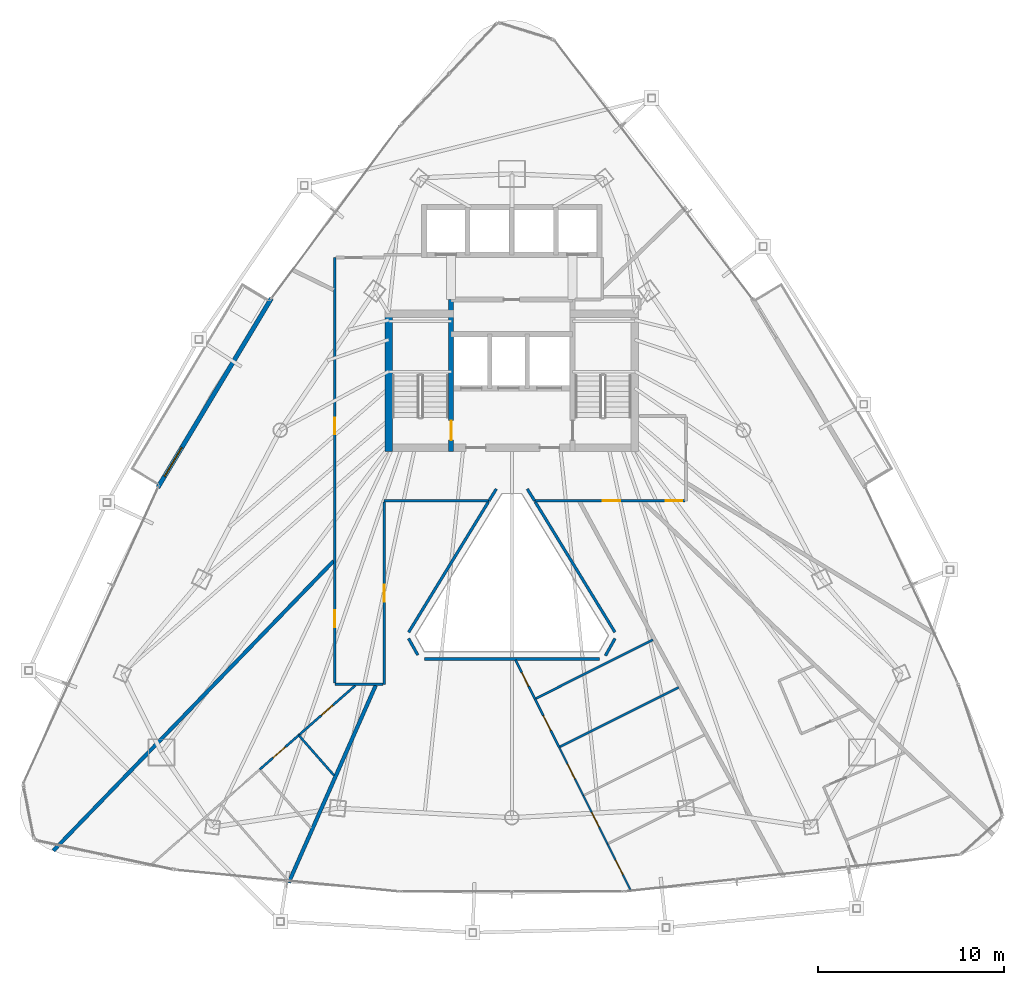
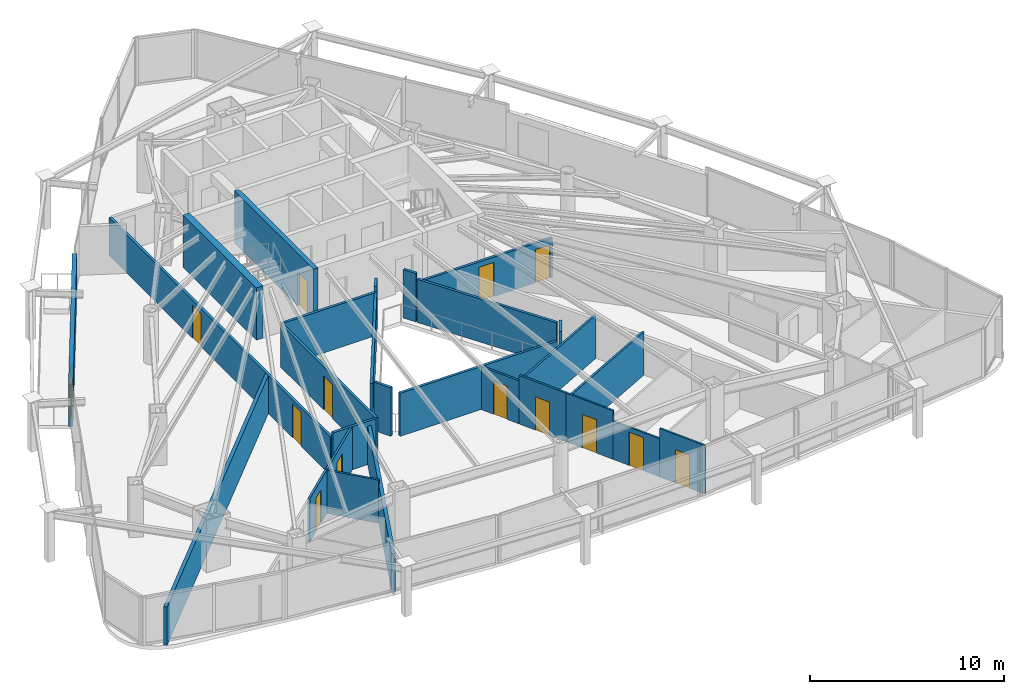
# One storey, part 26 of 31: 27 walls, 14 doors, 14 openings.
"""IFC4 building model written with IfcOpenShell, lengths in metres."""

from ifc_helpers import new_model, si_unit, direction, frame, frame_2d, origin, place, context, subcontext, project, spatial, rectangle, extrude, material, layer, layer_set, type_object, element, fill, save


model = new_model("IFC4")

# Units and contexts
model_context = context("Model", 3, precision=1e-05, world=origin(), true_north=direction((0.0, 1.0)))
body_context = subcontext(model_context, "Body", "Model", "MODEL_VIEW")
ifc_project = project(units=[si_unit("LENGTHUNIT", "METRE"), si_unit("AREAUNIT", "SQUARE_METRE"), si_unit("VOLUMEUNIT", "CUBIC_METRE"), si_unit("PLANEANGLEUNIT", "RADIAN"), si_unit("MASSUNIT", "GRAM", prefix="KILO")], contexts=[model_context])

# Site, building, storey
site_placement = place(None, origin())
site = spatial("IfcSite", under=ifc_project, at=site_placement, CompositionType="ELEMENT")
building_placement = place(site_placement, origin())
building = spatial("IfcBuilding", under=site, at=building_placement, Name="Orvanel Arch Residences", CompositionType="ELEMENT")
storey_placement = place(building_placement, frame((0.0, 0.0, 113.300048828125)))
storey = spatial("IfcBuildingStorey", under=building, at=storey_placement, Name="L31", CompositionType="ELEMENT", Elevation=113.300048828125)

# Wall, opening, door
ifc_material_1 = material(Name="Precast concrete N50 (50 MPa)", Category="concrete")
ifc_layer_1 = layer(ifc_material_1, 0.239990234375)
ifc_layer_set_1 = layer_set([ifc_layer_1], Name="Precast concrete N50 (50 MPa)")
wall_type_1 = type_object("IfcWallType", Name="EW-BAL-240", PredefinedType="SOLIDWALL", material=ifc_layer_set_1)
wall_1_placement = place(storey_placement, frame((20.094970703125, 34.718017578125, 0.0), z_axis=(0.0, 0.0, 1.0), x_axis=(-0.514362369366, -0.857572943242, 0.0)))
wall_1 = element("IfcWall", 1, at=wall_1_placement, inside=storey, type_object=wall_type_1, Name="L31 Balcony Threshold Wall Face 1", PredefinedType="SOLIDWALL", context=body_context, shape_type="SweptSolid", body=[
    extrude(rectangle(XDim=11.84375, YDim=0.239990234375, at=frame_2d((5.921875, 0.0))), origin(), (0.0, 0.0, 1.0), 2.6240234375),
])
opening_1_placement = place(wall_1_placement, frame((9.345947265625, 0.0, 0.0)))
opening_1 = element("IfcOpeningElement", 2, at=opening_1_placement, cuts=wall_1, Name="Opening DB-180", PredefinedType="OPENING", context=body_context, shape_type="SweptSolid", body=[
    extrude(rectangle(XDim=1.800048828125, YDim=2.199951171875, at=frame_2d((0.89990234375, 1.10009765625))), frame((0.0, 0.1298828125, 0.0), z_axis=(0.0, -1.0, 0.0), x_axis=(1.0, 0.0, 0.0)), (0.0, 0.0, 1.0), 0.260009765625),
])
ifc_material_2 = material(Name="Bronze-anodised aluminium AA6063-T6", Category="aluminium")
door_type_1 = type_object("IfcDoorType", Name="DR-BAL-1800", OperationType="NOTDEFINED", PredefinedType="DOOR", material=ifc_material_2)
door_1_placement = place(opening_1_placement, origin())
door_1 = element("IfcDoor", 3, at=door_1_placement, inside=storey, type_object=door_type_1, Name="DR-L31-BAL-F1 L31 Planted Balcony Access Door Face 1", OperationType="SINGLE_SWING_RIGHT", OverallHeight=2.199951171875, OverallWidth=1.800048828125, PredefinedType="DOOR", context=body_context, shape_type="SweptSolid", body=[
    extrude(rectangle(XDim=1.800048828125, YDim=2.199951171875, at=frame_2d((0.89990234375, 1.10009765625))), frame((0.0, 0.02490234375, 0.0), z_axis=(0.0, -1.0, 0.0), x_axis=(1.0, 0.0, 0.0)), (0.0, 0.0, 1.0), 0.050048828125),
])
fill(opening_1, door_1)

ifc_material_3 = material(Name="Concrete S65 (65 MPa)", Category="concrete")
ifc_layer_2 = layer(ifc_material_3, 0.280029296875)
ifc_layer_set_2 = layer_set([ifc_layer_2], Name="Concrete S65 (65 MPa)")
wall_type_2 = type_object("IfcWallType", Name="SW-CORE-280", PredefinedType="SHEAR", material=ifc_layer_set_2)
wall_2_placement = place(storey_placement, frame((29.739990234375, 26.5, 0.0), z_axis=(0.0, 0.0, 1.0), x_axis=(0.0, 1.0, 0.0)))
wall_2 = element("IfcWall", 4, at=wall_2_placement, inside=storey, type_object=wall_type_2, Name="L31 West Inner Core Spine Shear Wall", PredefinedType="SHEAR", context=body_context, shape_type="SweptSolid", body=[
    extrude(rectangle(XDim=8.14990234375, YDim=0.280029296875, at=frame_2d((4.074951171875, 0.0))), origin(), (0.0, 0.0, 1.0), 3.300048828125),
])
opening_2_placement = place(wall_2_placement, frame((0.60009765625, 0.0, 0.0)))
opening_2 = element("IfcOpeningElement", 5, at=opening_2_placement, cuts=wall_2, Name="Opening DF-120", PredefinedType="OPENING", context=body_context, shape_type="SweptSolid", body=[
    extrude(rectangle(XDim=1.050048828125, YDim=2.14990234375, at=frame_2d((0.52490234375, 1.074951171875))), frame((0.0, 0.14990234375, 0.0), z_axis=(0.0, -1.0, 0.0), x_axis=(1.0, 0.0, 0.0)), (0.0, 0.0, 1.0), 0.300048828125),
])
ifc_material_4 = material(Name="Galvanised steel fire-resisting door assembly", Category="steel")
door_type_2 = type_object("IfcDoorType", Name="DR-FD120-1050", OperationType="NOTDEFINED", PredefinedType="DOOR", material=ifc_material_4)
door_2_placement = place(opening_2_placement, origin())
door_2 = element("IfcDoor", 6, at=door_2_placement, inside=storey, type_object=door_type_2, Name="DR-L31-ST1 L31 Stair 1 Fire Door", OperationType="SINGLE_SWING_LEFT", OverallHeight=2.14990234375, OverallWidth=1.050048828125, PredefinedType="DOOR", context=body_context, shape_type="SweptSolid", body=[
    extrude(rectangle(XDim=1.050048828125, YDim=2.14990234375, at=frame_2d((0.52490234375, 1.074951171875))), frame((0.0, 0.02490234375, 0.0), z_axis=(0.0, -1.0, 0.0), x_axis=(1.0, 0.0, 0.0)), (0.0, 0.0, 1.0), 0.050048828125),
])
fill(opening_2, door_2)

# Walls
ifc_layer_3 = layer(ifc_material_3, 0.39990234375)
ifc_layer_set_3 = layer_set([ifc_layer_3], Name="Concrete S65 (65 MPa)")
wall_type_3 = type_object("IfcWallType", Name="SW-CORE-400", PredefinedType="SHEAR", material=ifc_layer_set_3)
wall_3_placement = place(storey_placement, frame((26.39990234375, 26.5, 0.0), z_axis=(0.0, 0.0, 1.0), x_axis=(0.0, 1.0, 0.0)))
element("IfcWall", 7, at=wall_3_placement, inside=storey, type_object=wall_type_3, Name="L31 West Stair Shear Wall", PredefinedType="SHEAR", context=body_context, shape_type="SweptSolid", body=[
    extrude(rectangle(XDim=7.60009765625, YDim=0.39990234375, at=frame_2d((3.800048828125, 0.0))), origin(), (0.0, 0.0, 1.0), 3.300048828125),
])
ifc_material_5 = material(Name="Fire-rated plasterboard lined steel stud partition", Category="steel")
ifc_layer_4 = layer(ifc_material_5, 0.14990234375)
ifc_layer_set_4 = layer_set([ifc_layer_4], Name="Fire-rated plasterboard lined steel stud partition")
wall_type_4 = type_object("IfcWallType", Name="W-COR-150", PredefinedType="PARTITIONING", material=ifc_layer_set_4)
wall_4_placement = place(storey_placement, frame((32.169921875, 24.487060546875, 0.0), z_axis=(0.0, 0.0, 1.0), x_axis=(-0.527038486816, -0.849841416627, 0.0)))
element("IfcWall", 8, at=wall_4_placement, inside=storey, type_object=wall_type_4, Name="L31 Corridor Fire-Rated Partition", PredefinedType="PARTITIONING", context=body_context, shape_type="SweptSolid", body=[
    extrude(rectangle(XDim=0.74951171875, YDim=0.14990234375, at=frame_2d((0.374755859375, 0.0))), origin(), (0.0, 0.0, 1.0), 3.06005859375),
])
wall_5_placement = place(storey_placement, frame((31.77490234375, 23.85009765625, 0.0), z_axis=(0.0, 0.0, 1.0), x_axis=(-1.0, 0.0, 0.0)))
element("IfcWall", 9, at=wall_5_placement, inside=storey, type_object=wall_type_4, Name="L31 Corridor Fire-Rated Partition", PredefinedType="PARTITIONING", context=body_context, shape_type="SweptSolid", body=[
    extrude(rectangle(XDim=5.625, YDim=0.14990234375, at=frame_2d((2.8125, 0.0))), origin(), (0.0, 0.0, 1.0), 2.720947265625),
])

# Wall, opening, door
wall_6_placement = place(storey_placement, frame((26.14990234375, 23.7900390625, 0.0), z_axis=(0.0, 0.0, 1.0), x_axis=(0.0, -1.0, 0.0)))
wall_6 = element("IfcWall", 10, at=wall_6_placement, inside=storey, type_object=wall_type_4, Name="L31 Corridor Fire-Rated Partition", PredefinedType="PARTITIONING", context=body_context, shape_type="SweptSolid", body=[
    extrude(rectangle(XDim=9.7900390625, YDim=0.14990234375, at=frame_2d((4.89501953125, 0.0))), origin(), (0.0, 0.0, 1.0), 2.720947265625),
])
opening_3_placement = place(wall_6_placement, frame((4.43505859375, 0.0, 0.0)))
opening_3 = element("IfcOpeningElement", 11, at=opening_3_placement, cuts=wall_6, Name="Opening DA-092", PredefinedType="OPENING", context=body_context, shape_type="SweptSolid", body=[
    extrude(rectangle(XDim=0.919921875, YDim=2.14990234375, at=frame_2d((0.4599609375, 1.074951171875))), frame((0.0, 0.0849609375, 0.0), z_axis=(0.0, -1.0, 0.0), x_axis=(1.0, 0.0, 0.0)), (0.0, 0.0, 1.0), 0.169921875),
])
ifc_material_6 = material(Name="Solid-core European oak veneer fire door leaf", Category="wood")
door_type_3 = type_object("IfcDoorType", Name="DR-APT-920", OperationType="NOTDEFINED", PredefinedType="DOOR", material=ifc_material_6)
door_3_placement = place(opening_3_placement, origin())
door_3 = element("IfcDoor", 12, at=door_3_placement, inside=storey, type_object=door_type_3, Name="DR-L31-A-ENT L31 Studio A Entrance Door", OperationType="SINGLE_SWING_RIGHT", OverallHeight=2.14990234375, OverallWidth=0.919921875, PredefinedType="DOOR", context=body_context, shape_type="SweptSolid", body=[
    extrude(rectangle(XDim=0.919921875, YDim=2.14990234375, at=frame_2d((0.4599609375, 1.074951171875))), frame((0.0, 0.02490234375, 0.0), z_axis=(0.0, -1.0, 0.0), x_axis=(1.0, 0.0, 0.0)), (0.0, 0.0, 1.0), 0.050048828125),
])
fill(opening_3, door_3)

# Wall
wall_7_placement = place(storey_placement, frame((26.090087890625, 14.0, 0.0), z_axis=(0.0, 0.0, 1.0), x_axis=(-1.0, 0.0, 0.0)))
element("IfcWall", 13, at=wall_7_placement, inside=storey, type_object=wall_type_4, Name="L31 Corridor Fire-Rated Partition", PredefinedType="PARTITIONING", context=body_context, shape_type="SweptSolid", body=[
    extrude(rectangle(XDim=2.590087890625, YDim=0.14990234375, at=frame_2d((1.294921875, 0.0))), origin(), (0.0, 0.0, 1.0), 2.720947265625),
])

# Wall, openings, doors
wall_8_placement = place(storey_placement, frame((23.5, 14.06005859375, 0.0), z_axis=(0.0, 0.0, 1.0), x_axis=(0.0, 1.0, 0.0)))
wall_8 = element("IfcWall", 14, at=wall_8_placement, inside=storey, type_object=wall_type_4, Name="L31 Corridor Fire-Rated Partition", PredefinedType="PARTITIONING", context=body_context, shape_type="SweptSolid", body=[
    extrude(rectangle(XDim=22.83984375, YDim=0.14990234375, at=frame_2d((11.419921875, 0.0))), origin(), (0.0, 0.0, 1.0), 2.412841796875),
])
opening_4_placement = place(wall_8_placement, frame((13.373046875, 0.0, 0.0)))
opening_4 = element("IfcOpeningElement", 15, at=opening_4_placement, cuts=wall_8, Name="Opening DI-088", PredefinedType="OPENING", context=body_context, shape_type="SweptSolid", body=[
    extrude(rectangle(XDim=0.8798828125, YDim=2.10009765625, at=frame_2d((0.43994140625, 1.050048828125))), frame((0.0, 0.0849609375, 0.0), z_axis=(0.0, -1.0, 0.0), x_axis=(1.0, 0.0, 0.0)), (0.0, 0.0, 1.0), 0.169921875),
])
opening_5_placement = place(wall_8_placement, frame((3.001953125, 0.0, 0.0)))
opening_5 = element("IfcOpeningElement", 16, at=opening_5_placement, cuts=wall_8, Name="Opening DA-092", PredefinedType="OPENING", context=body_context, shape_type="SweptSolid", body=[
    extrude(rectangle(XDim=0.919921875, YDim=2.14990234375, at=frame_2d((0.4599609375, 1.074951171875))), frame((0.0, 0.0849609375, 0.0), z_axis=(0.0, -1.0, 0.0), x_axis=(1.0, 0.0, 0.0)), (0.0, 0.0, 1.0), 0.169921875),
])
door_4_placement = place(opening_5_placement, origin())
door_4 = element("IfcDoor", 17, at=door_4_placement, inside=storey, type_object=door_type_3, Name="DR-L31-E-ENT L31 Flat E Entrance Door", OperationType="SINGLE_SWING_RIGHT", OverallHeight=2.14990234375, OverallWidth=0.919921875, PredefinedType="DOOR", context=body_context, shape_type="SweptSolid", body=[
    extrude(rectangle(XDim=0.919921875, YDim=2.14990234375, at=frame_2d((0.4599609375, 1.074951171875))), frame((0.0, 0.02490234375, 0.0), z_axis=(0.0, -1.0, 0.0), x_axis=(1.0, 0.0, 0.0)), (0.0, 0.0, 1.0), 0.050048828125),
])
fill(opening_5, door_4)
door_type_4 = type_object("IfcDoorType", Name="DR-INT-880", OperationType="NOTDEFINED", PredefinedType="DOOR", material=ifc_material_6)
door_5_placement = place(opening_4_placement, origin())
door_5 = element("IfcDoor", 18, at=door_5_placement, inside=storey, type_object=door_type_4, Name="DR-L31-SHRD-FB2 L31 Co-Working Study Office B Door", OperationType="SINGLE_SWING_LEFT", OverallHeight=2.10009765625, OverallWidth=0.8798828125, PredefinedType="DOOR", context=body_context, shape_type="SweptSolid", body=[
    extrude(rectangle(XDim=0.8798828125, YDim=2.10009765625, at=frame_2d((0.43994140625, 1.050048828125))), frame((0.0, 0.02490234375, 0.0), z_axis=(0.0, -1.0, 0.0), x_axis=(1.0, 0.0, 0.0)), (0.0, 0.0, 1.0), 0.050048828125),
])
fill(opening_4, door_5)

wall_9_placement = place(storey_placement, frame((42.2900390625, 23.85009765625, 0.0), z_axis=(0.0, 0.0, 1.0), x_axis=(-1.0, 0.0, 0.0)))
wall_9 = element("IfcWall", 19, at=wall_9_placement, inside=storey, type_object=wall_type_4, Name="L31 Corridor Fire-Rated Partition", PredefinedType="PARTITIONING", context=body_context, shape_type="SweptSolid", body=[
    extrude(rectangle(XDim=8.06494140625, YDim=0.14990234375, at=frame_2d((4.032470703125, 0.0))), origin(), (0.0, 0.0, 1.0), 2.491943359375),
])
opening_6_placement = place(wall_9_placement, frame((3.47705078125, 0.0, 0.0)))
opening_6 = element("IfcOpeningElement", 20, at=opening_6_placement, cuts=wall_9, Name="Opening DA-092", PredefinedType="OPENING", context=body_context, shape_type="SweptSolid", body=[
    extrude(rectangle(XDim=0.919921875, YDim=2.14990234375, at=frame_2d((0.4599609375, 1.074951171875))), frame((0.0, 0.0849609375, 0.0), z_axis=(0.0, -1.0, 0.0), x_axis=(1.0, 0.0, 0.0)), (0.0, 0.0, 1.0), 0.169921875),
])
opening_7_placement = place(wall_9_placement, frame((0.139892578125, 0.0, 0.0)))
opening_7 = element("IfcOpeningElement", 21, at=opening_7_placement, cuts=wall_9, Name="Opening DI-088", PredefinedType="OPENING", context=body_context, shape_type="SweptSolid", body=[
    extrude(rectangle(XDim=0.8798828125, YDim=2.10009765625, at=frame_2d((0.43994140625, 1.050048828125))), frame((0.0, 0.0849609375, 0.0), z_axis=(0.0, -1.0, 0.0), x_axis=(1.0, 0.0, 0.0)), (0.0, 0.0, 1.0), 0.169921875),
])
door_6_placement = place(opening_6_placement, origin())
door_6 = element("IfcDoor", 22, at=door_6_placement, inside=storey, type_object=door_type_3, Name="DR-L31-C-ENT L31 Studio C Entrance Door", OperationType="SINGLE_SWING_RIGHT", OverallHeight=2.14990234375, OverallWidth=0.919921875, PredefinedType="DOOR", context=body_context, shape_type="SweptSolid", body=[
    extrude(rectangle(XDim=0.919921875, YDim=2.14990234375, at=frame_2d((0.4599609375, 1.074951171875))), frame((0.0, 0.02490234375, 0.0), z_axis=(0.0, -1.0, 0.0), x_axis=(1.0, 0.0, 0.0)), (0.0, 0.0, 1.0), 0.050048828125),
])
fill(opening_6, door_6)
door_7_placement = place(opening_7_placement, origin())
door_7 = element("IfcDoor", 23, at=door_7_placement, inside=storey, type_object=door_type_4, Name="DR-L31-SHRD-FB7 L31 Co-Working Study Office G Door", OperationType="SINGLE_SWING_LEFT", OverallHeight=2.10009765625, OverallWidth=0.8798828125, PredefinedType="DOOR", context=body_context, shape_type="SweptSolid", body=[
    extrude(rectangle(XDim=0.8798828125, YDim=2.10009765625, at=frame_2d((0.43994140625, 1.050048828125))), frame((0.0, 0.02490234375, 0.0), z_axis=(0.0, -1.0, 0.0), x_axis=(1.0, 0.0, 0.0)), (0.0, 0.0, 1.0), 0.050048828125),
])
fill(opening_7, door_7)

# Walls
wall_10_placement = place(storey_placement, frame((34.22509765625, 23.85107421875, 0.0), z_axis=(0.0, 0.0, 1.0), x_axis=(-0.527622593928, 0.849478898135, 0.0)))
element("IfcWall", 24, at=wall_10_placement, inside=storey, type_object=wall_type_4, Name="L31 Corridor Fire-Rated Partition", PredefinedType="PARTITIONING", context=body_context, shape_type="SweptSolid", body=[
    extrude(rectangle(XDim=0.748779296875, YDim=0.14990234375, at=frame_2d((0.37451171875, 0.0))), origin(), (0.0, 0.0, 1.0), 3.06005859375),
])
wall_11_placement = place(storey_placement, frame((34.257080078125, 23.7900390625, 0.0), z_axis=(0.0, 0.0, 1.0), x_axis=(0.521839061235, -0.853043957935, 0.0)))
element("IfcWall", 25, at=wall_11_placement, inside=storey, type_object=wall_type_4, Name="L31 Atrium Overlook Glazed Partition", PredefinedType="PARTITIONING", context=body_context, shape_type="SweptSolid", body=[
    extrude(rectangle(XDim=8.197509765625, YDim=0.14990234375, at=frame_2d((4.0986328125, 0.0))), origin(), (0.0, 0.0, 1.0), 2.720947265625),
])
wall_12_placement = place(storey_placement, frame((38.541015625, 16.4609375, 0.0), z_axis=(0.0, 0.0, 1.0), x_axis=(-0.488631416095, -0.872490308946, 0.0)))
element("IfcWall", 26, at=wall_12_placement, inside=storey, type_object=wall_type_4, Name="L31 Atrium Overlook Glazed Partition", PredefinedType="PARTITIONING", context=body_context, shape_type="SweptSolid", body=[
    extrude(rectangle(XDim=1.060302734375, YDim=0.14990234375, at=frame_2d((0.5302734375, 0.0))), origin(), (0.0, 0.0, 1.0), 3.06005859375),
])
wall_13_placement = place(storey_placement, frame((37.694091796875, 15.364013671875, 0.0), z_axis=(0.0, 0.0, 1.0), x_axis=(-1.0, 0.0, 0.0)))
element("IfcWall", 27, at=wall_13_placement, inside=storey, type_object=wall_type_4, Name="L31 Atrium Overlook Glazed Partition", PredefinedType="PARTITIONING", context=body_context, shape_type="SweptSolid", body=[
    extrude(rectangle(XDim=9.38818359375, YDim=0.14990234375, at=frame_2d((4.694091796875, 0.0))), origin(), (0.0, 0.0, 1.0), 2.720947265625),
])
wall_14_placement = place(storey_placement, frame((27.95703125, 15.568115234375, 0.0), z_axis=(0.0, 0.0, 1.0), x_axis=(-0.487162890713, 0.873311123204, 0.0)))
element("IfcWall", 28, at=wall_14_placement, inside=storey, type_object=wall_type_4, Name="L31 Atrium Overlook Glazed Partition", PredefinedType="PARTITIONING", context=body_context, shape_type="SweptSolid", body=[
    extrude(rectangle(XDim=1.0224609375, YDim=0.14990234375, at=frame_2d((0.51123046875, 0.0))), origin(), (0.0, 0.0, 1.0), 3.06005859375),
])
wall_15_placement = place(storey_placement, frame((27.465087890625, 16.797119140625, 0.0), z_axis=(0.0, 0.0, 1.0), x_axis=(0.521839061235, 0.853043957935, 0.0)))
element("IfcWall", 29, at=wall_15_placement, inside=storey, type_object=wall_type_4, Name="L31 Atrium Overlook Glazed Partition", PredefinedType="PARTITIONING", context=body_context, shape_type="SweptSolid", body=[
    extrude(rectangle(XDim=8.197509765625, YDim=0.14990234375, at=frame_2d((4.0986328125, 0.0))), origin(), (0.0, 0.0, 1.0), 2.720947265625),
])
ifc_layer_5 = layer(ifc_material_5, 0.199951171875)
ifc_layer_set_5 = layer_set([ifc_layer_5], Name="Fire-rated plasterboard lined steel stud partition")
wall_type_5 = type_object("IfcWallType", Name="W-DEM-200", PredefinedType="PARTITIONING", material=ifc_layer_set_5)
wall_16_placement = place(storey_placement, frame((21.02392578125, 3.35302734375, 0.0), z_axis=(0.0, 0.0, 1.0), x_axis=(0.403601766718, 0.914934759369, 0.0)))
element("IfcWall", 30, at=wall_16_placement, inside=storey, type_object=wall_type_5, Name="L31 Inter-Tenancy Acoustic Demising Wall", PredefinedType="PARTITIONING", context=body_context, shape_type="SweptSolid", body=[
    extrude(rectangle(XDim=11.5712890625, YDim=0.199951171875, at=frame_2d((5.78564453125, 0.0))), origin(), (0.0, 0.0, 1.0), 2.412841796875),
])
wall_17_placement = place(storey_placement, frame((23.43994140625, 20.62109375, 0.0), z_axis=(0.0, 0.0, 1.0), x_axis=(-0.695405261367, -0.718617786075, 0.0)))
element("IfcWall", 31, at=wall_17_placement, inside=storey, type_object=wall_type_5, Name="L31 Inter-Tenancy Acoustic Demising Wall", PredefinedType="PARTITIONING", context=body_context, shape_type="SweptSolid", body=[
    extrude(rectangle(XDim=21.634765625, YDim=0.199951171875, at=frame_2d((10.8173828125, 0.0))), origin(), (0.0, 0.0, 1.0), 2.412841796875),
])

# Wall, opening, door
ifc_material_7 = material(Name="Acoustic plasterboard lined twin-stud partition", Category="gypsum")
ifc_layer_6 = layer(ifc_material_7, 0.10009765625)
ifc_layer_set_6 = layer_set([ifc_layer_6], Name="Acoustic plasterboard lined twin-stud partition")
wall_type_6 = type_object("IfcWallType", Name="W-INT-100", PredefinedType="PARTITIONING", material=ifc_layer_set_6)
wall_18_placement = place(storey_placement, frame((38.134033203125, 5.43701171875, 0.0), z_axis=(0.0, 0.0, 1.0), x_axis=(0.447768773835, -0.894149386388, 0.0)))
wall_18 = element("IfcWall", 32, at=wall_18_placement, inside=storey, type_object=wall_type_6, Name="L31 Studio A Internal Partition", PredefinedType="PARTITIONING", context=body_context, shape_type="SweptSolid", body=[
    extrude(rectangle(XDim=2.81396484375, YDim=0.10009765625, at=frame_2d((1.406982421875, 0.0))), origin(), (0.0, 0.0, 1.0), 3.06005859375),
])
opening_8_placement = place(wall_18_placement, frame((0.967041015625, 0.0, 0.0)))
opening_8 = element("IfcOpeningElement", 33, at=opening_8_placement, cuts=wall_18, Name="Opening DI-088", PredefinedType="OPENING", context=body_context, shape_type="SweptSolid", body=[
    extrude(rectangle(XDim=0.8798828125, YDim=2.10009765625, at=frame_2d((0.43994140625, 1.050048828125))), frame((0.0, 0.06005859375, 0.0), z_axis=(0.0, -1.0, 0.0), x_axis=(1.0, 0.0, 0.0)), (0.0, 0.0, 1.0), 0.1201171875),
])
door_8_placement = place(opening_8_placement, origin())
door_8 = element("IfcDoor", 34, at=door_8_placement, inside=storey, type_object=door_type_4, Name="DR-L31-A-WRD1 L31 Studio A Walk-In Wardrobe 1 Door", OperationType="SINGLE_SWING_LEFT", OverallHeight=2.10009765625, OverallWidth=0.8798828125, PredefinedType="DOOR", context=body_context, shape_type="SweptSolid", body=[
    extrude(rectangle(XDim=0.8798828125, YDim=2.10009765625, at=frame_2d((0.43994140625, 1.050048828125))), frame((0.0, 0.02490234375, 0.0), z_axis=(0.0, -1.0, 0.0), x_axis=(1.0, 0.0, 0.0)), (0.0, 0.0, 1.0), 0.050048828125),
])
fill(opening_8, door_8)

wall_19_placement = place(storey_placement, frame((36.8359375, 8.030029296875, 0.0), z_axis=(0.0, 0.0, 1.0), x_axis=(0.447651342751, -0.894208183441, 0.0)))
wall_19 = element("IfcWall", 35, at=wall_19_placement, inside=storey, type_object=wall_type_6, Name="L31 Studio A Internal Partition", PredefinedType="PARTITIONING", context=body_context, shape_type="SweptSolid", body=[
    extrude(rectangle(XDim=2.89990234375, YDim=0.10009765625, at=frame_2d((1.449951171875, 0.0))), origin(), (0.0, 0.0, 1.0), 2.412841796875),
])
opening_9_placement = place(wall_19_placement, frame((1.010009765625, 0.0, 0.0)))
opening_9 = element("IfcOpeningElement", 36, at=opening_9_placement, cuts=wall_19, Name="Opening DI-088", PredefinedType="OPENING", context=body_context, shape_type="SweptSolid", body=[
    extrude(rectangle(XDim=0.8798828125, YDim=2.10009765625, at=frame_2d((0.43994140625, 1.050048828125))), frame((0.0, 0.06005859375, 0.0), z_axis=(0.0, -1.0, 0.0), x_axis=(1.0, 0.0, 0.0)), (0.0, 0.0, 1.0), 0.1201171875),
])
door_9_placement = place(opening_9_placement, origin())
door_9 = element("IfcDoor", 37, at=door_9_placement, inside=storey, type_object=door_type_4, Name="DR-L31-A-WRD2 L31 Studio A Walk-In Wardrobe 2 Door", OperationType="SINGLE_SWING_LEFT", OverallHeight=2.10009765625, OverallWidth=0.8798828125, PredefinedType="DOOR", context=body_context, shape_type="SweptSolid", body=[
    extrude(rectangle(XDim=0.8798828125, YDim=2.10009765625, at=frame_2d((0.43994140625, 1.050048828125))), frame((0.0, 0.02490234375, 0.0), z_axis=(0.0, -1.0, 0.0), x_axis=(1.0, 0.0, 0.0)), (0.0, 0.0, 1.0), 0.050048828125),
])
fill(opening_9, door_9)

wall_20_placement = place(storey_placement, frame((35.537109375, 10.623046875, 0.0), z_axis=(0.0, 0.0, 1.0), x_axis=(0.447853271476, -0.894107066983, 0.0)))
wall_20 = element("IfcWall", 38, at=wall_20_placement, inside=storey, type_object=wall_type_6, Name="L31 Studio A Internal Partition", PredefinedType="PARTITIONING", context=body_context, shape_type="SweptSolid", body=[
    extrude(rectangle(XDim=2.900146484375, YDim=0.10009765625, at=frame_2d((1.4501953125, 0.0))), origin(), (0.0, 0.0, 1.0), 3.06005859375),
])
opening_10_placement = place(wall_20_placement, frame((1.010009765625, 0.0, 0.0)))
opening_10 = element("IfcOpeningElement", 39, at=opening_10_placement, cuts=wall_20, Name="Opening DI-088", PredefinedType="OPENING", context=body_context, shape_type="SweptSolid", body=[
    extrude(rectangle(XDim=0.8798828125, YDim=2.10009765625, at=frame_2d((0.43994140625, 1.050048828125))), frame((0.0, 0.06005859375, 0.0), z_axis=(0.0, -1.0, 0.0), x_axis=(1.0, 0.0, 0.0)), (0.0, 0.0, 1.0), 0.1201171875),
])
door_10_placement = place(opening_10_placement, origin())
door_10 = element("IfcDoor", 40, at=door_10_placement, inside=storey, type_object=door_type_4, Name="DR-L31-A-DIN3 L31 Studio A Dining Room 3 Door", OperationType="SINGLE_SWING_LEFT", OverallHeight=2.10009765625, OverallWidth=0.8798828125, PredefinedType="DOOR", context=body_context, shape_type="SweptSolid", body=[
    extrude(rectangle(XDim=0.8798828125, YDim=2.10009765625, at=frame_2d((0.43994140625, 1.050048828125))), frame((0.0, 0.02490234375, 0.0), z_axis=(0.0, -1.0, 0.0), x_axis=(1.0, 0.0, 0.0)), (0.0, 0.0, 1.0), 0.050048828125),
])
fill(opening_10, door_10)

ifc_layer_7 = layer(ifc_material_7, 0.1201171875)
ifc_layer_set_7 = layer_set([ifc_layer_7], Name="Acoustic plasterboard lined twin-stud partition")
wall_type_7 = type_object("IfcWallType", Name="W-WET-120", PredefinedType="PARTITIONING", material=ifc_layer_set_7)
wall_21_placement = place(storey_placement, frame((33.194091796875, 15.303955078125, 0.0), z_axis=(0.0, 0.0, 1.0), x_axis=(0.447548179666, -0.894259820677, 0.0)))
wall_21 = element("IfcWall", 41, at=wall_21_placement, inside=storey, type_object=wall_type_7, Name="L31 Studio A Bathroom Partition", PredefinedType="PARTITIONING", context=body_context, shape_type="SweptSolid", body=[
    extrude(rectangle(XDim=2.334716796875, YDim=0.1201171875, at=frame_2d((1.16748046875, 0.0))), origin(), (0.0, 0.0, 1.0), 2.720947265625),
])
opening_11_placement = place(wall_21_placement, frame((0.757080078125, 0.0, 0.0)))
opening_11 = element("IfcOpeningElement", 42, at=opening_11_placement, cuts=wall_21, Name="Opening DW-082", PredefinedType="OPENING", context=body_context, shape_type="SweptSolid", body=[
    extrude(rectangle(XDim=0.820068359375, YDim=2.10009765625, at=frame_2d((0.41015625, 1.050048828125))), frame((0.0, 0.070068359375, 0.0), z_axis=(0.0, -1.0, 0.0), x_axis=(1.0, 0.0, 0.0)), (0.0, 0.0, 1.0), 0.14013671875),
])
door_type_5 = type_object("IfcDoorType", Name="DR-WET-820", OperationType="NOTDEFINED", PredefinedType="DOOR", material=ifc_material_6)
door_11_placement = place(opening_11_placement, origin())
door_11 = element("IfcDoor", 43, at=door_11_placement, inside=storey, type_object=door_type_5, Name="DR-L31-A-BATH L31 Studio A Bathroom Door", OperationType="SINGLE_SWING_RIGHT", OverallHeight=2.10009765625, OverallWidth=0.820068359375, PredefinedType="DOOR", context=body_context, shape_type="SweptSolid", body=[
    extrude(rectangle(XDim=0.820068359375, YDim=2.10009765625, at=frame_2d((0.41015625, 1.050048828125))), frame((0.0, 0.02490234375, 0.0), z_axis=(0.0, -1.0, 0.0), x_axis=(1.0, 0.0, 0.0)), (0.0, 0.0, 1.0), 0.050048828125),
])
fill(opening_11, door_11)

wall_22_placement = place(storey_placement, frame((34.239013671875, 13.216064453125, 0.0), z_axis=(0.0, 0.0, 1.0), x_axis=(0.447651342751, -0.894208183441, 0.0)))
wall_22 = element("IfcWall", 44, at=wall_22_placement, inside=storey, type_object=wall_type_7, Name="L31 Studio A Internal Partition", PredefinedType="PARTITIONING", context=body_context, shape_type="SweptSolid", body=[
    extrude(rectangle(XDim=2.89990234375, YDim=0.1201171875, at=frame_2d((1.449951171875, 0.0))), origin(), (0.0, 0.0, 1.0), 3.06005859375),
])
opening_12_placement = place(wall_22_placement, frame((1.010009765625, 0.0, 0.0)))
opening_12 = element("IfcOpeningElement", 45, at=opening_12_placement, cuts=wall_22, Name="Opening DI-088", PredefinedType="OPENING", context=body_context, shape_type="SweptSolid", body=[
    extrude(rectangle(XDim=0.8798828125, YDim=2.10009765625, at=frame_2d((0.43994140625, 1.050048828125))), frame((0.0, 0.070068359375, 0.0), z_axis=(0.0, -1.0, 0.0), x_axis=(1.0, 0.0, 0.0)), (0.0, 0.0, 1.0), 0.14013671875),
])
door_12_placement = place(opening_12_placement, origin())
door_12 = element("IfcDoor", 46, at=door_12_placement, inside=storey, type_object=door_type_4, Name="DR-L31-A-KIT L31 Studio A Kitchenette Door", OperationType="SINGLE_SWING_LEFT", OverallHeight=2.10009765625, OverallWidth=0.8798828125, PredefinedType="DOOR", context=body_context, shape_type="SweptSolid", body=[
    extrude(rectangle(XDim=0.8798828125, YDim=2.10009765625, at=frame_2d((0.43994140625, 1.050048828125))), frame((0.0, 0.02490234375, 0.0), z_axis=(0.0, -1.0, 0.0), x_axis=(1.0, 0.0, 0.0)), (0.0, 0.0, 1.0), 0.050048828125),
])
fill(opening_12, door_12)

# Walls
wall_23_placement = place(storey_placement, frame((40.572021484375, 16.386962890625, 0.0), z_axis=(0.0, 0.0, 1.0), x_axis=(-0.894178861749, -0.447709909653, 0.0)))
element("IfcWall", 47, at=wall_23_placement, inside=storey, type_object=wall_type_7, Name="L31 Studio A Bathroom Partition", PredefinedType="PARTITIONING", context=body_context, shape_type="SweptSolid", body=[
    extrude(rectangle(XDim=7.08251953125, YDim=0.1201171875, at=frame_2d((3.541259765625, 0.0))), origin(), (0.0, 0.0, 1.0), 2.720947265625),
])
wall_24_placement = place(storey_placement, frame((41.95703125, 13.8369140625, 0.0), z_axis=(0.0, 0.0, 1.0), x_axis=(-0.894209449688, -0.447648813344, 0.0)))
element("IfcWall", 48, at=wall_24_placement, inside=storey, type_object=wall_type_7, Name="L31 Studio A Internal Partition", PredefinedType="PARTITIONING", context=body_context, shape_type="SweptSolid", body=[
    extrude(rectangle(XDim=7.179443359375, YDim=0.1201171875, at=frame_2d((3.58984375, 0.0))), origin(), (0.0, 0.0, 1.0), 2.720947265625),
])

# Wall, opening, door
wall_25_placement = place(storey_placement, frame((24.60400390625, 13.93994140625, 0.0), z_axis=(0.0, 0.0, 1.0), x_axis=(-0.751349767919, -0.659904179595, 0.0)))
wall_25 = element("IfcWall", 49, at=wall_25_placement, inside=storey, type_object=wall_type_7, Name="L31 Flat E Bathroom Partition", PredefinedType="PARTITIONING", context=body_context, shape_type="SweptSolid", body=[
    extrude(rectangle(XDim=4.04736328125, YDim=0.1201171875, at=frame_2d((2.023681640625, 0.0))), origin(), (0.0, 0.0, 1.0), 2.720947265625),
])
opening_13_placement = place(wall_25_placement, frame((1.614013671875, 0.0, 0.0)))
opening_13 = element("IfcOpeningElement", 50, at=opening_13_placement, cuts=wall_25, Name="Opening DW-082", PredefinedType="OPENING", context=body_context, shape_type="SweptSolid", body=[
    extrude(rectangle(XDim=0.820068359375, YDim=2.10009765625, at=frame_2d((0.41015625, 1.050048828125))), frame((0.0, 0.070068359375, 0.0), z_axis=(0.0, -1.0, 0.0), x_axis=(1.0, 0.0, 0.0)), (0.0, 0.0, 1.0), 0.14013671875),
])
door_13_placement = place(opening_13_placement, origin())
door_13 = element("IfcDoor", 51, at=door_13_placement, inside=storey, type_object=door_type_5, Name="DR-L31-E-BATH L31 Flat E Bathroom Door", OperationType="SINGLE_SWING_RIGHT", OverallHeight=2.10009765625, OverallWidth=0.820068359375, PredefinedType="DOOR", context=body_context, shape_type="SweptSolid", body=[
    extrude(rectangle(XDim=0.820068359375, YDim=2.10009765625, at=frame_2d((0.41015625, 1.050048828125))), frame((0.0, 0.02490234375, 0.0), z_axis=(0.0, -1.0, 0.0), x_axis=(1.0, 0.0, 0.0)), (0.0, 0.0, 1.0), 0.050048828125),
])
fill(opening_13, door_13)

wall_26_placement = place(storey_placement, frame((21.56298828125, 11.26904296875, 0.0), z_axis=(0.0, 0.0, 1.0), x_axis=(-0.751138604229, -0.660144527537, 0.0)))
wall_26 = element("IfcWall", 52, at=wall_26_placement, inside=storey, type_object=wall_type_7, Name="L31 Flat E Internal Partition", PredefinedType="PARTITIONING", context=body_context, shape_type="SweptSolid", body=[
    extrude(rectangle(XDim=2.790283203125, YDim=0.1201171875, at=frame_2d((1.39501953125, 0.0))), origin(), (0.0, 0.0, 1.0), 2.720947265625),
])
opening_14_placement = place(wall_26_placement, frame((0.955078125, 0.0, 0.0)))
opening_14 = element("IfcOpeningElement", 53, at=opening_14_placement, cuts=wall_26, Name="Opening DI-088", PredefinedType="OPENING", context=body_context, shape_type="SweptSolid", body=[
    extrude(rectangle(XDim=0.8798828125, YDim=2.10009765625, at=frame_2d((0.43994140625, 1.050048828125))), frame((0.0, 0.070068359375, 0.0), z_axis=(0.0, -1.0, 0.0), x_axis=(1.0, 0.0, 0.0)), (0.0, 0.0, 1.0), 0.14013671875),
])
door_14_placement = place(opening_14_placement, origin())
door_14 = element("IfcDoor", 54, at=door_14_placement, inside=storey, type_object=door_type_4, Name="DR-L31-E-KIT L31 Flat E Kitchen Door", OperationType="SINGLE_SWING_LEFT", OverallHeight=2.10009765625, OverallWidth=0.8798828125, PredefinedType="DOOR", context=body_context, shape_type="SweptSolid", body=[
    extrude(rectangle(XDim=0.8798828125, YDim=2.10009765625, at=frame_2d((0.43994140625, 1.050048828125))), frame((0.0, 0.02490234375, 0.0), z_axis=(0.0, -1.0, 0.0), x_axis=(1.0, 0.0, 0.0)), (0.0, 0.0, 1.0), 0.050048828125),
])
fill(opening_14, door_14)

# Wall
wall_27_placement = place(storey_placement, frame((23.467041015625, 9.10205078125, 0.0), z_axis=(0.0, 0.0, 1.0), x_axis=(-0.660061062947, 0.751211949573, 0.0)))
element("IfcWall", 55, at=wall_27_placement, inside=storey, type_object=wall_type_7, Name="L31 Flat E Bathroom Partition", PredefinedType="PARTITIONING", context=body_context, shape_type="SweptSolid", body=[
    extrude(rectangle(XDim=2.884765625, YDim=0.1201171875, at=frame_2d((1.4423828125, 0.0))), origin(), (0.0, 0.0, 1.0), 2.720947265625),
])

save(model, "model.ifc")
